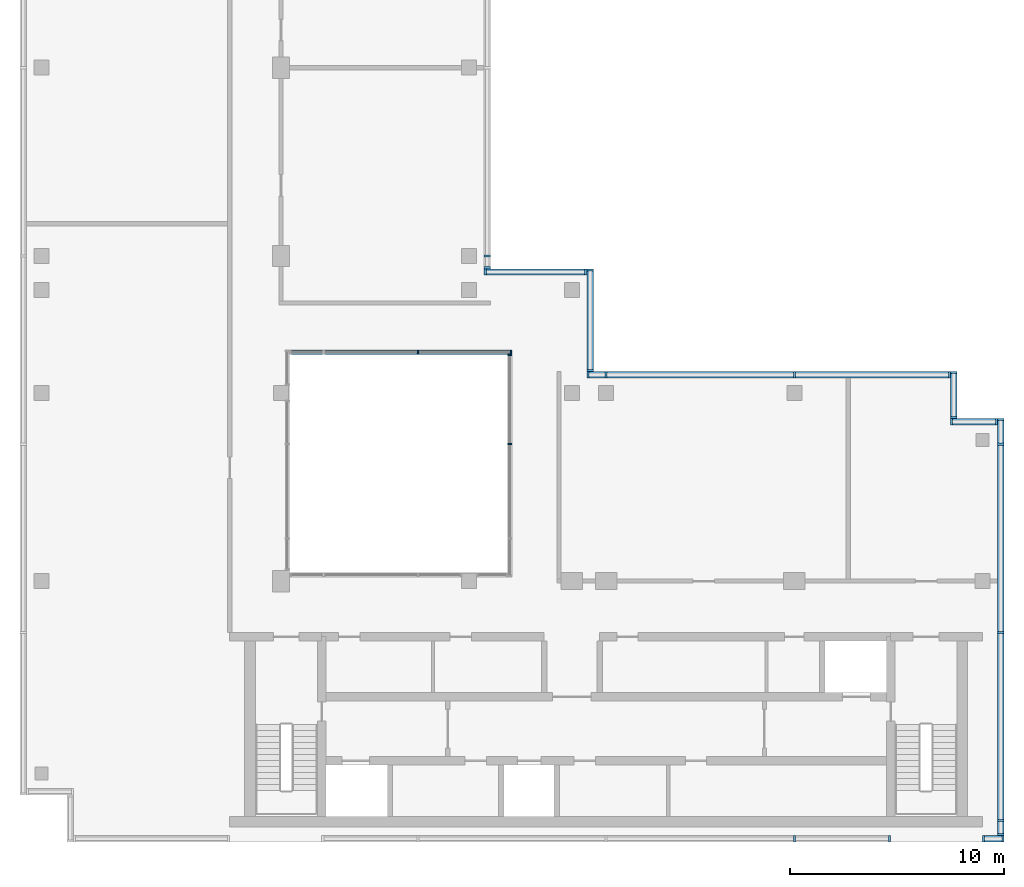
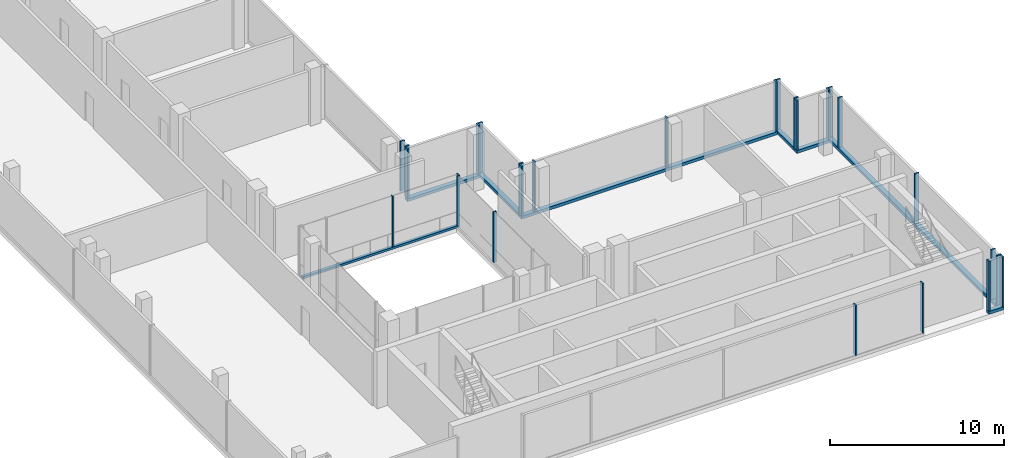
# One storey, part 5 of 10: 35 members, 11 elements without a shape of their own.
"""IFC4 building model written with IfcOpenShell, lengths in metres."""

from ifc_helpers import new_model, si_unit, direction, frame, origin, origin_2d, place, context, subcontext, project, spatial, rectangle, extrude, source, transform, mapped, material, material_profile, profile_set, type_object, element, aggregate, save


model = new_model("IFC4")

# Units and contexts
model_context = context("Model", 3, precision=1e-05, world=origin(), true_north=direction((0.0, 1.0)))
body_context = subcontext(model_context, "Body", "Model", "MODEL_VIEW")
ifc_project = project(units=[si_unit("LENGTHUNIT", "METRE"), si_unit("AREAUNIT", "SQUARE_METRE"), si_unit("VOLUMEUNIT", "CUBIC_METRE"), si_unit("PLANEANGLEUNIT", "RADIAN"), si_unit("MASSUNIT", "GRAM", prefix="KILO")], contexts=[model_context])

# Site, building, storey
site_placement = place(None, origin())
site = spatial("IfcSite", under=ifc_project, at=site_placement, CompositionType="ELEMENT")
building_placement = place(site_placement, origin())
building = spatial("IfcBuilding", under=site, at=building_placement, Name="Kemantara Hotel Tower", CompositionType="ELEMENT")
storey_placement = place(building_placement, frame((0.0, 0.0, 318.199951171875)))
storey = spatial("IfcBuildingStorey", under=building, at=storey_placement, Name="L80", CompositionType="ELEMENT", Elevation=318.199951171875)

# Curtain wall, member
ifc_material_1 = material(Name="Clear low-iron laminated glass 36 mm", Category="glass")
curtain_wall_type_1 = type_object("IfcCurtainWallType", Name="ATRIUM GLAZING WALL", PredefinedType="USERDEFINED", material=ifc_material_1)
curtain_wall_1_placement = place(storey_placement, origin())
curtain_wall_1 = element("IfcCurtainWall", 1, at=curtain_wall_1_placement, inside=storey, type_object=curtain_wall_type_1, Name="CW5 L80 ATR-R0-1", ObjectType="ATRIUM GLAZING WALL", PredefinedType="USERDEFINED")
ifc_material_2 = material(Name="Aluminium 6063-T6 bronze anodised", Category="aluminium")
ifc_material_profile_1 = material_profile(ifc_material_2, rectangle(XDim=0.199951171875, YDim=0.14990234375, at=origin_2d()), Name="ATRIUM GLAZING WALL TRANSOM")
ifc_profile_set_1 = profile_set([ifc_material_profile_1], Name="Aluminium 6063-T6 bronze anodised")
member_type_1 = type_object("IfcMemberType", Name="ATRIUM GLAZING WALL TRANSOM", PredefinedType="USERDEFINED", material=ifc_profile_set_1)
member_1_placement = place(storey_placement, frame((12.60009765625, 22.89990234375, 0.074951171875), z_axis=(1.0, 0.0, 0.0), x_axis=(0.0, 1.0, 0.0)))
member_1 = element("IfcMember", 2, at=member_1_placement, type_object=member_type_1, Name="CW5 sill transom ATR-R0-1", ObjectType="TRANSOM", PredefinedType="USERDEFINED", context=body_context, shape_type="SweptSolid", body=[
    extrude(rectangle(XDim=0.199951171875, YDim=0.14990234375, at=origin_2d()), origin(), (0.0, 0.0, 1.0), 10.39990234375),
])

curtain_wall_type_2 = type_object("IfcCurtainWallType", Name="CROWN LOUVRE SCREEN WALL", PredefinedType="USERDEFINED", material=ifc_material_2)
curtain_wall_2_placement = place(storey_placement, origin())
curtain_wall_2 = element("IfcCurtainWall", 3, at=curtain_wall_2_placement, inside=storey, type_object=curtain_wall_type_2, Name="CW7 L80 CRN-R08-3", ObjectType="CROWN LOUVRE SCREEN WALL", PredefinedType="USERDEFINED")
ifc_material_profile_2 = material_profile(ifc_material_2, rectangle(XDim=0.300048828125, YDim=0.199951171875, at=origin_2d()), Name="CROWN LOUVRE SCREEN WALL TRANSOM")
ifc_profile_set_2 = profile_set([ifc_material_profile_2], Name="Aluminium 6063-T6 bronze anodised")
member_type_2 = type_object("IfcMemberType", Name="CROWN LOUVRE SCREEN WALL TRANSOM", PredefinedType="USERDEFINED", material=ifc_profile_set_2)
member_2_placement = place(storey_placement, frame((45.0, 0.14990234375, 0.10009765625), z_axis=(1.0, 0.0, 0.0), x_axis=(0.0, 1.0, 0.0)))
member_2 = element("IfcMember", 4, at=member_2_placement, type_object=member_type_2, Name="CW7 sill transom CRN-R08-3", ObjectType="TRANSOM", PredefinedType="USERDEFINED", context=body_context, shape_type="SweptSolid", body=[
    extrude(rectangle(XDim=0.300048828125, YDim=0.199951171875, at=origin_2d()), origin(), (0.0, 0.0, 1.0), 1.0),
])

curtain_wall_3_placement = place(storey_placement, origin())
curtain_wall_3 = element("IfcCurtainWall", 5, at=curtain_wall_3_placement, inside=storey, type_object=curtain_wall_type_2, Name="CW7 L80 CRN-R09-1", ObjectType="CROWN LOUVRE SCREEN WALL", PredefinedType="USERDEFINED")
member_3_placement = place(storey_placement, frame((45.85009765625, 0.300048828125, 0.10009765625), z_axis=(0.0, 1.0, 0.0), x_axis=(-1.0, 0.0, 0.0)))
member_3 = element("IfcMember", 6, at=member_3_placement, type_object=member_type_2, Name="CW7 sill transom CRN-R09-1", ObjectType="TRANSOM", PredefinedType="USERDEFINED", context=body_context, shape_type="SweptSolid", body=[
    extrude(rectangle(XDim=0.300048828125, YDim=0.199951171875, at=origin_2d()), origin(), (0.0, 0.0, 1.0), 19.5),
])

curtain_wall_4_placement = place(storey_placement, origin())
curtain_wall_4 = element("IfcCurtainWall", 7, at=curtain_wall_4_placement, inside=storey, type_object=curtain_wall_type_2, Name="CW7 L80 CRN-R12-1", ObjectType="CROWN LOUVRE SCREEN WALL", PredefinedType="USERDEFINED")
member_4_placement = place(storey_placement, frame((43.5, 21.85009765625, 0.10009765625), z_axis=(-1.0, 0.0, 0.0), x_axis=(0.0, -1.0, 0.0)))
member_4 = element("IfcMember", 8, at=member_4_placement, type_object=member_type_2, Name="CW7 sill transom CRN-R12-1", ObjectType="TRANSOM", PredefinedType="USERDEFINED", context=body_context, shape_type="SweptSolid", body=[
    extrude(rectangle(XDim=0.300048828125, YDim=0.199951171875, at=origin_2d()), origin(), (0.0, 0.0, 1.0), 17.0),
])

curtain_wall_5_placement = place(storey_placement, origin())
curtain_wall_5 = element("IfcCurtainWall", 9, at=curtain_wall_5_placement, inside=storey, type_object=curtain_wall_type_2, Name="CW7 L80 CRN-R13-1", ObjectType="CROWN LOUVRE SCREEN WALL", PredefinedType="USERDEFINED")
member_5_placement = place(storey_placement, frame((26.64990234375, 22.0, 0.10009765625), z_axis=(0.0, 1.0, 0.0), x_axis=(-1.0, 0.0, 0.0)))
member_5 = element("IfcMember", 10, at=member_5_placement, type_object=member_type_2, Name="CW7 sill transom CRN-R13-1", ObjectType="TRANSOM", PredefinedType="USERDEFINED", context=body_context, shape_type="SweptSolid", body=[
    extrude(rectangle(XDim=0.300048828125, YDim=0.199951171875, at=origin_2d()), origin(), (0.0, 0.0, 1.0), 4.800048828125),
])

curtain_wall_6_placement = place(storey_placement, origin())
curtain_wall_6 = element("IfcCurtainWall", 11, at=curtain_wall_6_placement, inside=storey, type_object=curtain_wall_type_2, Name="CW7 L80 CRN-R14-1", ObjectType="CROWN LOUVRE SCREEN WALL", PredefinedType="USERDEFINED")
member_6_placement = place(storey_placement, frame((26.5, 26.64990234375, 0.10009765625), z_axis=(-1.0, 0.0, 0.0), x_axis=(0.0, -1.0, 0.0)))
member_6 = element("IfcMember", 12, at=member_6_placement, type_object=member_type_2, Name="CW7 sill transom CRN-R14-1", ObjectType="TRANSOM", PredefinedType="USERDEFINED", context=body_context, shape_type="SweptSolid", body=[
    extrude(rectangle(XDim=0.300048828125, YDim=0.199951171875, at=origin_2d()), origin(), (0.0, 0.0, 1.0), 4.800048828125),
])

curtain_wall_7_placement = place(storey_placement, origin())
curtain_wall_7 = element("IfcCurtainWall", 13, at=curtain_wall_7_placement, inside=storey, type_object=curtain_wall_type_2, Name="CW7 L80 CRN-R10-1", ObjectType="CROWN LOUVRE SCREEN WALL", PredefinedType="USERDEFINED")
member_7_placement = place(storey_placement, frame((45.699951171875, 19.64990234375, 0.10009765625), z_axis=(-1.0, 0.0, 0.0), x_axis=(0.0, -1.0, 0.0)))
member_7 = element("IfcMember", 14, at=member_7_placement, type_object=member_type_2, Name="CW7 sill transom CRN-R10-1", ObjectType="TRANSOM", PredefinedType="USERDEFINED", context=body_context, shape_type="SweptSolid", body=[
    extrude(rectangle(XDim=0.300048828125, YDim=0.199951171875, at=origin_2d()), origin(), (0.0, 0.0, 1.0), 2.199951171875),
])

curtain_wall_8_placement = place(storey_placement, origin())
curtain_wall_8 = element("IfcCurtainWall", 15, at=curtain_wall_8_placement, inside=storey, type_object=curtain_wall_type_2, Name="CW7 L80 CRN-R11-1", ObjectType="CROWN LOUVRE SCREEN WALL", PredefinedType="USERDEFINED")
member_8_placement = place(storey_placement, frame((43.64990234375, 19.800048828125, 0.10009765625), z_axis=(0.0, 1.0, 0.0), x_axis=(-1.0, 0.0, 0.0)))
member_8 = element("IfcMember", 16, at=member_8_placement, type_object=member_type_2, Name="CW7 sill transom CRN-R11-1", ObjectType="TRANSOM", PredefinedType="USERDEFINED", context=body_context, shape_type="SweptSolid", body=[
    extrude(rectangle(XDim=0.300048828125, YDim=0.199951171875, at=origin_2d()), origin(), (0.0, 0.0, 1.0), 2.199951171875),
])

# Curtain wall, members
curtain_wall_9_placement = place(storey_placement, origin())
curtain_wall_9 = element("IfcCurtainWall", 17, at=curtain_wall_9_placement, inside=storey, type_object=curtain_wall_type_2, Name="CW7 L80 CRN-R08-2", ObjectType="CROWN LOUVRE SCREEN WALL", PredefinedType="USERDEFINED")
ifc_material_profile_3 = material_profile(ifc_material_2, rectangle(XDim=0.300048828125, YDim=0.10009765625, at=origin_2d()), Name="CROWN LOUVRE SCREEN WALL MULLION")
ifc_profile_set_3 = profile_set([ifc_material_profile_3], Name="Aluminium 6063-T6 bronze anodised")
member_type_3 = type_object("IfcMemberType", Name="CROWN LOUVRE SCREEN WALL MULLION", PredefinedType="MULLION", material=ifc_profile_set_3)
shared_shape_1 = source(origin(), body_context, "Body", "SweptSolid", [
    extrude(rectangle(XDim=0.300048828125, YDim=0.10009765625, at=origin_2d()), origin(), (0.0, 0.0, 1.0), 3.5),
])
member_9_placement = place(storey_placement, frame((36.199951171875, 0.14990234375, 0.199951171875), z_axis=(0.0, 0.0, 1.0), x_axis=(0.0, 1.0, 0.0)))
member_9 = element("IfcMember", 18, at=member_9_placement, type_object=member_type_3, Name="CW7 mullion CRN-R08-2.4", PredefinedType="MULLION", context=body_context, shape_type="MappedRepresentation", body=[
    mapped(shared_shape_1, transform((0.0, 0.0, 0.0))),
])
member_10_placement = place(storey_placement, frame((40.64990234375, 0.14990234375, 0.199951171875), z_axis=(0.0, 0.0, 1.0), x_axis=(0.0, 1.0, 0.0)))
member_10 = element("IfcMember", 19, at=member_10_placement, type_object=member_type_3, Name="CW7 mullion CRN-R08-2.5", PredefinedType="MULLION", context=body_context, shape_type="MappedRepresentation", body=[
    mapped(shared_shape_1, transform((0.0, 0.0, 0.0))),
])
aggregate(curtain_wall_9, [member_9, member_10])

# Member
member_11_placement = place(storey_placement, frame((45.050048828125, 0.14990234375, 0.199951171875), z_axis=(0.0, 0.0, 1.0), x_axis=(0.0, 1.0, 0.0)))
member_11 = element("IfcMember", 20, at=member_11_placement, type_object=member_type_3, Name="CW7 mullion CRN-R08-3.1", PredefinedType="MULLION", context=body_context, shape_type="MappedRepresentation", body=[
    mapped(shared_shape_1, transform((0.0, 0.0, 0.0))),
])

member_12_placement = place(storey_placement, frame((45.949951171875, 0.14990234375, 0.199951171875), z_axis=(0.0, 0.0, 1.0), x_axis=(0.0, 1.0, 0.0)))
member_12 = element("IfcMember", 21, at=member_12_placement, type_object=member_type_3, Name="CW7 mullion CRN-R08-3.2", PredefinedType="MULLION", context=body_context, shape_type="MappedRepresentation", body=[
    mapped(shared_shape_1, transform((0.0, 0.0, 0.0))),
])

aggregate(curtain_wall_2, [member_2, member_11, member_12])

member_13_placement = place(storey_placement, frame((45.85009765625, 0.35009765625, 0.199951171875), z_axis=(0.0, 0.0, 1.0), x_axis=(-1.0, 0.0, 0.0)))
member_13 = element("IfcMember", 22, at=member_13_placement, type_object=member_type_3, Name="CW7 mullion CRN-R09-1.1", PredefinedType="MULLION", context=body_context, shape_type="MappedRepresentation", body=[
    mapped(shared_shape_1, transform((0.0, 0.0, 0.0))),
])

member_14_placement = place(storey_placement, frame((45.85009765625, 1.0, 0.199951171875), z_axis=(0.0, 0.0, 1.0), x_axis=(-1.0, 0.0, 0.0)))
member_14 = element("IfcMember", 23, at=member_14_placement, type_object=member_type_3, Name="CW7 mullion CRN-R09-1.2", PredefinedType="MULLION", context=body_context, shape_type="MappedRepresentation", body=[
    mapped(shared_shape_1, transform((0.0, 0.0, 0.0))),
])

member_15_placement = place(storey_placement, frame((45.85009765625, 9.800048828125, 0.199951171875), z_axis=(0.0, 0.0, 1.0), x_axis=(-1.0, 0.0, 0.0)))
member_15 = element("IfcMember", 24, at=member_15_placement, type_object=member_type_3, Name="CW7 mullion CRN-R09-1.3", PredefinedType="MULLION", context=body_context, shape_type="MappedRepresentation", body=[
    mapped(shared_shape_1, transform((0.0, 0.0, 0.0))),
])

member_16_placement = place(storey_placement, frame((45.85009765625, 18.60009765625, 0.199951171875), z_axis=(0.0, 0.0, 1.0), x_axis=(-1.0, 0.0, 0.0)))
member_16 = element("IfcMember", 25, at=member_16_placement, type_object=member_type_3, Name="CW7 mullion CRN-R09-1.4", PredefinedType="MULLION", context=body_context, shape_type="MappedRepresentation", body=[
    mapped(shared_shape_1, transform((0.0, 0.0, 0.0))),
])

member_17_placement = place(storey_placement, frame((45.85009765625, 19.75, 0.199951171875), z_axis=(0.0, 0.0, 1.0), x_axis=(-1.0, 0.0, 0.0)))
member_17 = element("IfcMember", 26, at=member_17_placement, type_object=member_type_3, Name="CW7 mullion CRN-R09-1.5", PredefinedType="MULLION", context=body_context, shape_type="MappedRepresentation", body=[
    mapped(shared_shape_1, transform((0.0, 0.0, 0.0))),
])

aggregate(curtain_wall_3, [member_3, member_13, member_14, member_15, member_16, member_17])

member_18_placement = place(storey_placement, frame((43.449951171875, 21.85009765625, 0.199951171875), z_axis=(0.0, 0.0, 1.0), x_axis=(0.0, -1.0, 0.0)))
member_18 = element("IfcMember", 27, at=member_18_placement, type_object=member_type_3, Name="CW7 mullion CRN-R12-1.1", PredefinedType="MULLION", context=body_context, shape_type="MappedRepresentation", body=[
    mapped(shared_shape_1, transform((0.0, 0.0, 0.0))),
])

member_19_placement = place(storey_placement, frame((36.199951171875, 21.85009765625, 0.199951171875), z_axis=(0.0, 0.0, 1.0), x_axis=(0.0, -1.0, 0.0)))
member_19 = element("IfcMember", 28, at=member_19_placement, type_object=member_type_3, Name="CW7 mullion CRN-R12-1.2", PredefinedType="MULLION", context=body_context, shape_type="MappedRepresentation", body=[
    mapped(shared_shape_1, transform((0.0, 0.0, 0.0))),
])

member_20_placement = place(storey_placement, frame((27.39990234375, 21.85009765625, 0.199951171875), z_axis=(0.0, 0.0, 1.0), x_axis=(0.0, -1.0, 0.0)))
member_20 = element("IfcMember", 29, at=member_20_placement, type_object=member_type_3, Name="CW7 mullion CRN-R12-1.3", PredefinedType="MULLION", context=body_context, shape_type="MappedRepresentation", body=[
    mapped(shared_shape_1, transform((0.0, 0.0, 0.0))),
])

member_21_placement = place(storey_placement, frame((26.550048828125, 21.85009765625, 0.199951171875), z_axis=(0.0, 0.0, 1.0), x_axis=(0.0, -1.0, 0.0)))
member_21 = element("IfcMember", 30, at=member_21_placement, type_object=member_type_3, Name="CW7 mullion CRN-R12-1.4", PredefinedType="MULLION", context=body_context, shape_type="MappedRepresentation", body=[
    mapped(shared_shape_1, transform((0.0, 0.0, 0.0))),
])

aggregate(curtain_wall_4, [member_4, member_18, member_19, member_20, member_21])

member_22_placement = place(storey_placement, frame((26.64990234375, 22.050048828125, 0.199951171875), z_axis=(0.0, 0.0, 1.0), x_axis=(-1.0, 0.0, 0.0)))
member_22 = element("IfcMember", 31, at=member_22_placement, type_object=member_type_3, Name="CW7 mullion CRN-R13-1.1", PredefinedType="MULLION", context=body_context, shape_type="MappedRepresentation", body=[
    mapped(shared_shape_1, transform((0.0, 0.0, 0.0))),
])

member_23_placement = place(storey_placement, frame((26.64990234375, 26.75, 0.199951171875), z_axis=(0.0, 0.0, 1.0), x_axis=(-1.0, 0.0, 0.0)))
member_23 = element("IfcMember", 32, at=member_23_placement, type_object=member_type_3, Name="CW7 mullion CRN-R13-1.2", PredefinedType="MULLION", context=body_context, shape_type="MappedRepresentation", body=[
    mapped(shared_shape_1, transform((0.0, 0.0, 0.0))),
])

aggregate(curtain_wall_5, [member_5, member_22, member_23])

member_24_placement = place(storey_placement, frame((26.449951171875, 26.64990234375, 0.199951171875), z_axis=(0.0, 0.0, 1.0), x_axis=(0.0, -1.0, 0.0)))
member_24 = element("IfcMember", 33, at=member_24_placement, type_object=member_type_3, Name="CW7 mullion CRN-R14-1.1", PredefinedType="MULLION", context=body_context, shape_type="MappedRepresentation", body=[
    mapped(shared_shape_1, transform((0.0, 0.0, 0.0))),
])

member_25_placement = place(storey_placement, frame((21.75, 26.64990234375, 0.199951171875), z_axis=(0.0, 0.0, 1.0), x_axis=(0.0, -1.0, 0.0)))
member_25 = element("IfcMember", 34, at=member_25_placement, type_object=member_type_3, Name="CW7 mullion CRN-R14-1.2", PredefinedType="MULLION", context=body_context, shape_type="MappedRepresentation", body=[
    mapped(shared_shape_1, transform((0.0, 0.0, 0.0))),
])

aggregate(curtain_wall_6, [member_6, member_24, member_25])

# Curtain wall, members
curtain_wall_10_placement = place(storey_placement, origin())
curtain_wall_10 = element("IfcCurtainWall", 35, at=curtain_wall_10_placement, inside=storey, type_object=curtain_wall_type_2, Name="CW7 L80 CRN-R15-1", ObjectType="CROWN LOUVRE SCREEN WALL", PredefinedType="USERDEFINED")
member_26_placement = place(storey_placement, frame((21.85009765625, 26.85009765625, 0.199951171875), z_axis=(0.0, 0.0, 1.0), x_axis=(-1.0, 0.0, 0.0)))
member_26 = element("IfcMember", 36, at=member_26_placement, type_object=member_type_3, Name="CW7 mullion CRN-R15-1.1", PredefinedType="MULLION", context=body_context, shape_type="MappedRepresentation", body=[
    mapped(shared_shape_1, transform((0.0, 0.0, 0.0))),
])
member_27_placement = place(storey_placement, frame((21.85009765625, 27.39990234375, 0.199951171875), z_axis=(0.0, 0.0, 1.0), x_axis=(-1.0, 0.0, 0.0)))
member_27 = element("IfcMember", 37, at=member_27_placement, type_object=member_type_3, Name="CW7 mullion CRN-R15-1.2", PredefinedType="MULLION", context=body_context, shape_type="MappedRepresentation", body=[
    mapped(shared_shape_1, transform((0.0, 0.0, 0.0))),
])
aggregate(curtain_wall_10, [member_26, member_27])

# Member
member_28_placement = place(storey_placement, frame((45.64990234375, 19.64990234375, 0.199951171875), z_axis=(0.0, 0.0, 1.0), x_axis=(0.0, -1.0, 0.0)))
member_28 = element("IfcMember", 38, at=member_28_placement, type_object=member_type_3, Name="CW7 mullion CRN-R10-1.1", PredefinedType="MULLION", context=body_context, shape_type="MappedRepresentation", body=[
    mapped(shared_shape_1, transform((0.0, 0.0, 0.0))),
])

member_29_placement = place(storey_placement, frame((43.550048828125, 19.64990234375, 0.199951171875), z_axis=(0.0, 0.0, 1.0), x_axis=(0.0, -1.0, 0.0)))
member_29 = element("IfcMember", 39, at=member_29_placement, type_object=member_type_3, Name="CW7 mullion CRN-R10-1.2", PredefinedType="MULLION", context=body_context, shape_type="MappedRepresentation", body=[
    mapped(shared_shape_1, transform((0.0, 0.0, 0.0))),
])

aggregate(curtain_wall_7, [member_7, member_28, member_29])

member_30_placement = place(storey_placement, frame((43.64990234375, 19.85009765625, 0.199951171875), z_axis=(0.0, 0.0, 1.0), x_axis=(-1.0, 0.0, 0.0)))
member_30 = element("IfcMember", 40, at=member_30_placement, type_object=member_type_3, Name="CW7 mullion CRN-R11-1.1", PredefinedType="MULLION", context=body_context, shape_type="MappedRepresentation", body=[
    mapped(shared_shape_1, transform((0.0, 0.0, 0.0))),
])

member_31_placement = place(storey_placement, frame((43.64990234375, 21.949951171875, 0.199951171875), z_axis=(0.0, 0.0, 1.0), x_axis=(-1.0, 0.0, 0.0)))
member_31 = element("IfcMember", 41, at=member_31_placement, type_object=member_type_3, Name="CW7 mullion CRN-R11-1.2", PredefinedType="MULLION", context=body_context, shape_type="MappedRepresentation", body=[
    mapped(shared_shape_1, transform((0.0, 0.0, 0.0))),
])

aggregate(curtain_wall_8, [member_8, member_30, member_31])

ifc_material_profile_4 = material_profile(ifc_material_2, rectangle(XDim=0.199951171875, YDim=0.074951171875, at=origin_2d()), Name="ATRIUM GLAZING WALL MULLION")
ifc_profile_set_4 = profile_set([ifc_material_profile_4], Name="Aluminium 6063-T6 bronze anodised")
member_type_4 = type_object("IfcMemberType", Name="ATRIUM GLAZING WALL MULLION", PredefinedType="MULLION", material=ifc_profile_set_4)
shared_shape_2 = source(origin(), body_context, "Body", "SweptSolid", [
    extrude(rectangle(XDim=0.199951171875, YDim=0.074951171875, at=origin_2d()), origin(), (0.0, 0.0, 1.0), 3.5498046875),
])
member_32_placement = place(storey_placement, frame((18.60009765625, 22.89990234375, 0.150146484375), z_axis=(0.0, 0.0, 1.0), x_axis=(0.0, 1.0, 0.0)))
member_32 = element("IfcMember", 42, at=member_32_placement, type_object=member_type_4, Name="CW5 mullion ATR-R0-1.3", PredefinedType="MULLION", context=body_context, shape_type="MappedRepresentation", body=[
    mapped(shared_shape_2, transform((0.0, 0.0, 0.0))),
])

member_33_placement = place(storey_placement, frame((22.96240234375, 22.89990234375, 0.150146484375), z_axis=(0.0, 0.0, 1.0), x_axis=(0.0, 1.0, 0.0)))
member_33 = element("IfcMember", 43, at=member_33_placement, type_object=member_type_4, Name="CW5 mullion ATR-R0-1.4", PredefinedType="MULLION", context=body_context, shape_type="MappedRepresentation", body=[
    mapped(shared_shape_2, transform((0.0, 0.0, 0.0))),
])

aggregate(curtain_wall_1, [member_1, member_32, member_33])

# Curtain wall, members
curtain_wall_11_placement = place(storey_placement, origin())
curtain_wall_11 = element("IfcCurtainWall", 44, at=curtain_wall_11_placement, inside=storey, type_object=curtain_wall_type_1, Name="CW5 L80 ATR-R1-1", ObjectType="ATRIUM GLAZING WALL", PredefinedType="USERDEFINED")
member_34_placement = place(storey_placement, frame((22.89990234375, 22.762451171875, 0.150146484375), z_axis=(0.0, 0.0, 1.0), x_axis=(1.0, 0.0, 0.0)))
member_34 = element("IfcMember", 45, at=member_34_placement, type_object=member_type_4, Name="CW5 mullion ATR-R1-1.1", PredefinedType="MULLION", context=body_context, shape_type="MappedRepresentation", body=[
    mapped(shared_shape_2, transform((0.0, 0.0, 0.0))),
])
member_35_placement = place(storey_placement, frame((22.89990234375, 18.60009765625, 0.150146484375), z_axis=(0.0, 0.0, 1.0), x_axis=(1.0, 0.0, 0.0)))
member_35 = element("IfcMember", 46, at=member_35_placement, type_object=member_type_4, Name="CW5 mullion ATR-R1-1.2", PredefinedType="MULLION", context=body_context, shape_type="MappedRepresentation", body=[
    mapped(shared_shape_2, transform((0.0, 0.0, 0.0))),
])
aggregate(curtain_wall_11, [member_34, member_35])

save(model, "model.ifc")
